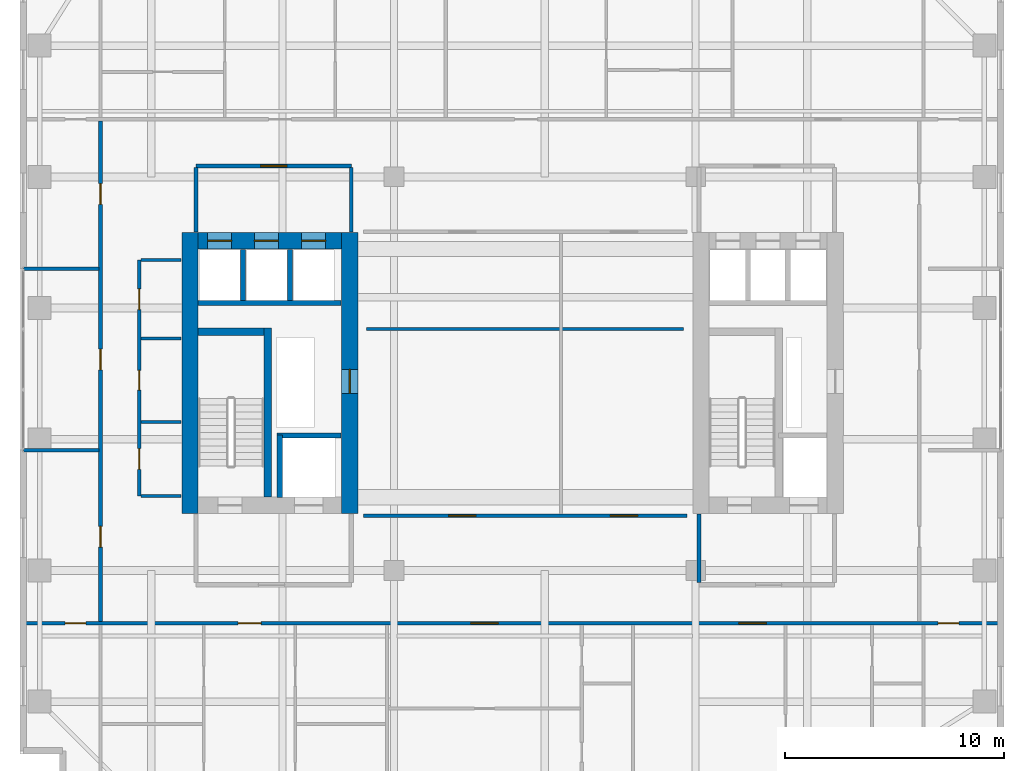
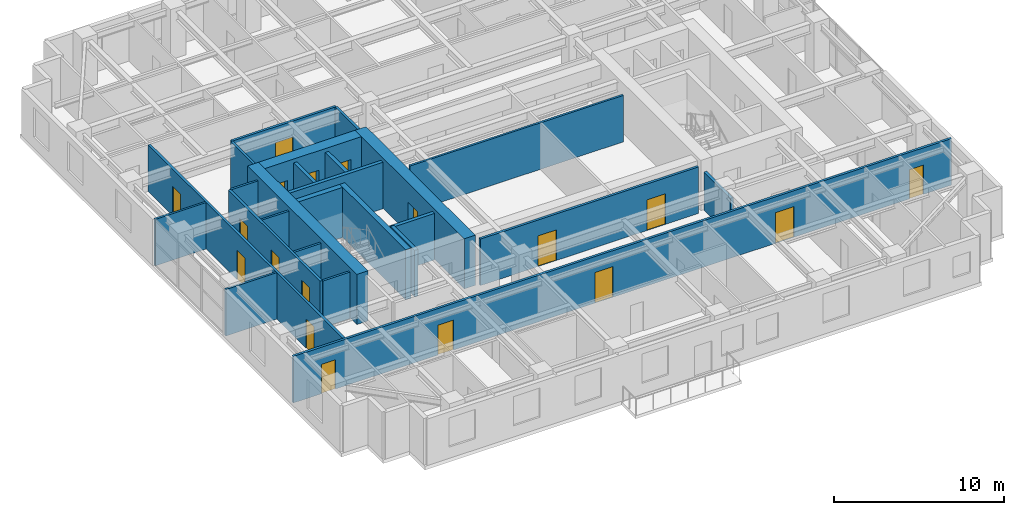
# One storey, part 8 of 13: 25 walls, 18 doors, 18 openings.
"""IFC4 building model written with IfcOpenShell, lengths in metres."""

from ifc_helpers import new_model, si_unit, direction, frame, frame_2d, origin, place, context, subcontext, project, spatial, rectangle, extrude, source, transform, mapped, material, layer, layer_set, type_object, element, fill, save


model = new_model("IFC4")

# Units and contexts
model_context = context("Model", 3, precision=1e-05, world=origin(), true_north=direction((0.0, 1.0)))
body_context = subcontext(model_context, "Body", "Model", "MODEL_VIEW")
ifc_project = project(units=[si_unit("LENGTHUNIT", "METRE"), si_unit("AREAUNIT", "SQUARE_METRE"), si_unit("VOLUMEUNIT", "CUBIC_METRE"), si_unit("PLANEANGLEUNIT", "RADIAN"), si_unit("MASSUNIT", "GRAM", prefix="KILO")], contexts=[model_context])

# Site, building, storey
site_placement = place(None, origin())
site = spatial("IfcSite", under=ifc_project, at=site_placement, CompositionType="ELEMENT")
building_placement = place(site_placement, origin())
building = spatial("IfcBuilding", under=site, at=building_placement, Name="Khoralis Quay Care Tower", CompositionType="ELEMENT")
storey_placement = place(building_placement, frame((0.0, 0.0, 87.300048828125)))
storey = spatial("IfcBuildingStorey", under=building, at=storey_placement, Name="L22", CompositionType="ELEMENT", Elevation=87.300048828125)

# Walls
ifc_material_1 = material(Name="Gypsum plasterboard on acoustic metal stud")
ifc_layer_1 = layer(ifc_material_1, 0.199951171875)
ifc_layer_set_1 = layer_set([ifc_layer_1], Name="Gypsum plasterboard on acoustic metal stud")
wall_type_1 = type_object("IfcWallType", Name="WL-COMP-200", PredefinedType="PARTITIONING", material=ifc_layer_set_1)
wall_1_placement = place(storey_placement, frame((31.050048828125, 11.445068359375, 0.0), z_axis=(0.0, 0.0, 1.0), x_axis=(0.0, 1.0, 0.0)))
element("IfcWall", 1, at=wall_1_placement, inside=storey, type_object=wall_type_1, Name="L22 East Firefighting Lobby West Wall", PredefinedType="PARTITIONING", context=body_context, shape_type="SweptSolid", body=[
    extrude(rectangle(XDim=3.135009765625, YDim=0.199951171875, at=frame_2d((1.5673828125, 0.0))), origin(), (0.0, 0.0, 1.0), 2.723876953125),
])
ifc_material_2 = material(Name="Concrete C80/95", Category="concrete")
ifc_layer_2 = layer(ifc_material_2, 0.75)
ifc_layer_set_2 = layer_set([ifc_layer_2], Name="Concrete C80/95")
wall_type_2 = type_object("IfcWallType", Name="WL-CORE-750", PredefinedType="SHEAR", material=ifc_layer_set_2)
wall_2_placement = place(storey_placement, frame((7.77490234375, 14.60009765625, 0.0), z_axis=(0.0, 0.0, 1.0), x_axis=(0.0, 1.0, 0.0)))
element("IfcWall", 2, at=wall_2_placement, inside=storey, type_object=wall_type_2, Name="L22 WCORE West Shear Wall", PredefinedType="SHEAR", context=body_context, shape_type="SweptSolid", body=[
    extrude(rectangle(XDim=12.849853515625, YDim=0.75, at=frame_2d((6.4248046875, 0.0))), origin(), (0.0, 0.0, 1.0), 3.599853515625),
])

# Wall, opening, door
wall_3_placement = place(storey_placement, frame((15.074951171875, 14.60009765625, 0.0), z_axis=(0.0, 0.0, 1.0), x_axis=(0.0, 1.0, 0.0)))
wall_3 = element("IfcWall", 3, at=wall_3_placement, inside=storey, type_object=wall_type_2, Name="L22 WCORE East Shear Wall", PredefinedType="SHEAR", context=body_context, shape_type="SweptSolid", body=[
    extrude(rectangle(XDim=12.849853515625, YDim=0.75, at=frame_2d((6.4248046875, 0.0))), origin(), (0.0, 0.0, 1.0), 3.599853515625),
])
opening_1_placement = place(wall_3_placement, frame((5.5, 0.0, 0.0)))
opening_1 = element("IfcOpeningElement", 4, at=opening_1_placement, cuts=wall_3, Name="Opening SD1", PredefinedType="OPENING", context=body_context, shape_type="SweptSolid", body=[
    extrude(rectangle(XDim=1.10009765625, YDim=2.199951171875, at=frame_2d((0.550048828125, 1.10009765625))), frame((0.0, 0.385009765625, 0.0), z_axis=(0.0, -1.0, 0.0), x_axis=(1.0, 0.0, 0.0)), (0.0, 0.0, 1.0), 0.77001953125),
])
ifc_material_3 = material(Name="Fire-rated painted steel", Category="steel")
door_type_1 = type_object("IfcDoorType", Name="DR-STAIR-1100X2200", OperationType="NOTDEFINED", PredefinedType="DOOR", material=ifc_material_3)
shared_shape_1 = source(origin(), body_context, "Body", "SweptSolid", [
    extrude(rectangle(XDim=1.10009765625, YDim=2.199951171875, at=frame_2d((0.550048828125, 1.10009765625))), frame((0.0, 0.02490234375, 0.0), z_axis=(0.0, -1.0, 0.0), x_axis=(1.0, 0.0, 0.0)), (0.0, 0.0, 1.0), 0.050048828125),
])
door_1_placement = place(opening_1_placement, origin())
door_1 = element("IfcDoor", 5, at=door_1_placement, inside=storey, type_object=door_type_1, Name="L22 West MEP Riser Door", OperationType="SINGLE_SWING_RIGHT", OverallHeight=2.199951171875, OverallWidth=1.10009765625, PredefinedType="DOOR", context=body_context, shape_type="MappedRepresentation", body=[
    mapped(shared_shape_1, transform((0.0, 0.0, 0.0), scale=1.0)),
])
fill(opening_1, door_1)

# Wall, openings, doors
wall_4_placement = place(storey_placement, frame((8.14990234375, 27.074951171875, 0.0), z_axis=(0.0, 0.0, 1.0), x_axis=(1.0, 0.0, 0.0)))
wall_4 = element("IfcWall", 6, at=wall_4_placement, inside=storey, type_object=wall_type_2, Name="L22 WCORE North Shear Wall", PredefinedType="SHEAR", context=body_context, shape_type="SweptSolid", body=[
    extrude(rectangle(XDim=6.550048828125, YDim=0.75, at=frame_2d((3.27490234375, 0.0))), origin(), (0.0, 0.0, 1.0), 3.599853515625),
])
opening_2_placement = place(wall_4_placement, frame((0.429931640625, 0.0, 0.0)))
opening_2 = element("IfcOpeningElement", 7, at=opening_2_placement, cuts=wall_4, Name="Opening LD1", PredefinedType="OPENING", context=body_context, shape_type="SweptSolid", body=[
    extrude(rectangle(XDim=1.10009765625, YDim=2.199951171875, at=frame_2d((0.550048828125, 1.10009765625))), frame((0.0, 0.385009765625, 0.0), z_axis=(0.0, -1.0, 0.0), x_axis=(1.0, 0.0, 0.0)), (0.0, 0.0, 1.0), 0.77001953125),
])
opening_3_placement = place(wall_4_placement, frame((2.570068359375, 0.0, 0.0)))
opening_3 = element("IfcOpeningElement", 8, at=opening_3_placement, cuts=wall_4, Name="Opening LD1", PredefinedType="OPENING", context=body_context, shape_type="SweptSolid", body=[
    extrude(rectangle(XDim=1.10009765625, YDim=2.199951171875, at=frame_2d((0.550048828125, 1.10009765625))), frame((0.0, 0.385009765625, 0.0), z_axis=(0.0, -1.0, 0.0), x_axis=(1.0, 0.0, 0.0)), (0.0, 0.0, 1.0), 0.77001953125),
])
opening_4_placement = place(wall_4_placement, frame((4.72998046875, 0.0, 0.0)))
opening_4 = element("IfcOpeningElement", 9, at=opening_4_placement, cuts=wall_4, Name="Opening LD1", PredefinedType="OPENING", context=body_context, shape_type="SweptSolid", body=[
    extrude(rectangle(XDim=1.10009765625, YDim=2.199951171875, at=frame_2d((0.550048828125, 1.10009765625))), frame((0.0, 0.385009765625, 0.0), z_axis=(0.0, -1.0, 0.0), x_axis=(1.0, 0.0, 0.0)), (0.0, 0.0, 1.0), 0.77001953125),
])
ifc_material_4 = material(Name="Brushed stainless steel", Category="steel")
door_type_2 = type_object("IfcDoorType", Name="DR-LIFT-1100X2200", OperationType="SLIDING_TO_LEFT", PredefinedType="DOOR", material=ifc_material_4)
shared_shape_2 = source(origin(), body_context, "Body", "SweptSolid", [
    extrude(rectangle(XDim=1.10009765625, YDim=2.199951171875, at=frame_2d((0.550048828125, 1.10009765625))), frame((0.0, 0.02490234375, 0.0), z_axis=(0.0, -1.0, 0.0), x_axis=(1.0, 0.0, 0.0)), (0.0, 0.0, 1.0), 0.050048828125),
])
door_2_placement = place(opening_2_placement, origin())
door_2 = element("IfcDoor", 10, at=door_2_placement, inside=storey, type_object=door_type_2, Name="L22 Lift PLL1 Landing Door", OperationType="SLIDING_TO_LEFT", OverallHeight=2.199951171875, OverallWidth=1.10009765625, PredefinedType="DOOR", context=body_context, shape_type="MappedRepresentation", body=[
    mapped(shared_shape_2, transform((0.0, 0.0, 0.0), scale=1.0)),
])
fill(opening_2, door_2)
door_3_placement = place(opening_3_placement, origin())
door_3 = element("IfcDoor", 11, at=door_3_placement, inside=storey, type_object=door_type_2, Name="L22 Lift PLM1 Landing Door", OperationType="SLIDING_TO_LEFT", OverallHeight=2.199951171875, OverallWidth=1.10009765625, PredefinedType="DOOR", context=body_context, shape_type="MappedRepresentation", body=[
    mapped(shared_shape_2, transform((0.0, 0.0, 0.0), scale=1.0)),
])
fill(opening_3, door_3)
door_4_placement = place(opening_4_placement, origin())
door_4 = element("IfcDoor", 12, at=door_4_placement, inside=storey, type_object=door_type_2, Name="L22 Lift PLH1 Landing Door", OperationType="SLIDING_TO_LEFT", OverallHeight=2.199951171875, OverallWidth=1.10009765625, PredefinedType="DOOR", context=body_context, shape_type="MappedRepresentation", body=[
    mapped(shared_shape_2, transform((0.0, 0.0, 0.0), scale=1.0)),
])
fill(opening_4, door_4)

# Wall, opening, door
ifc_layer_3 = layer(ifc_material_1, 0.1650390625)
ifc_layer_set_3 = layer_set([ifc_layer_3], Name="Gypsum plasterboard on acoustic metal stud")
wall_type_3 = type_object("IfcWallType", Name="WL-CORR-165", PredefinedType="PARTITIONING", material=ifc_layer_set_3)
wall_5_placement = place(storey_placement, frame((8.050048828125, 30.5, 0.0), z_axis=(0.0, 0.0, 1.0), x_axis=(1.0, 0.0, 0.0)))
wall_5 = element("IfcWall", 13, at=wall_5_placement, inside=storey, type_object=wall_type_3, Name="L22 West Lift Lobby North Wall", PredefinedType="PARTITIONING", context=body_context, shape_type="SweptSolid", body=[
    extrude(rectangle(XDim=7.099853515625, YDim=0.1650390625, at=frame_2d((3.5498046875, 0.0))), origin(), (0.0, 0.0, 1.0), 3.33984375),
])
opening_5_placement = place(wall_5_placement, frame((2.949951171875, 0.0, 0.0)))
opening_5 = element("IfcOpeningElement", 14, at=opening_5_placement, cuts=wall_5, Name="Opening FD1", PredefinedType="OPENING", context=body_context, shape_type="SweptSolid", body=[
    extrude(rectangle(XDim=1.199951171875, YDim=2.199951171875, at=frame_2d((0.60009765625, 1.10009765625))), frame((0.0, 0.092529296875, 0.0), z_axis=(0.0, -1.0, 0.0), x_axis=(1.0, 0.0, 0.0)), (0.0, 0.0, 1.0), 0.18505859375),
])
door_type_3 = type_object("IfcDoorType", Name="DR-FFL-1200X2200", OperationType="NOTDEFINED", PredefinedType="DOOR", material=ifc_material_3)
shared_shape_3 = source(origin(), body_context, "Body", "SweptSolid", [
    extrude(rectangle(XDim=1.199951171875, YDim=2.199951171875, at=frame_2d((0.60009765625, 1.10009765625))), frame((0.0, 0.02490234375, 0.0), z_axis=(0.0, -1.0, 0.0), x_axis=(1.0, 0.0, 0.0)), (0.0, 0.0, 1.0), 0.050048828125),
])
door_5_placement = place(opening_5_placement, origin())
door_5 = element("IfcDoor", 15, at=door_5_placement, inside=storey, type_object=door_type_3, Name="L22 West Lift Lobby Double Door", OperationType="DOUBLE_DOOR_SINGLE_SWING", OverallHeight=2.199951171875, OverallWidth=1.199951171875, PredefinedType="DOOR", context=body_context, shape_type="MappedRepresentation", body=[
    mapped(shared_shape_3, transform((0.0, 0.0, 0.0), scale=1.0)),
])
fill(opening_5, door_5)

# Walls
for number, where, z_axis, x_axis, name in (
    (16, (8.050048828125, 27.469970703125, 0.0), (0.0, 0.0, 1.0), (0.0, 1.0, 0.0), "L22 West Lift Lobby West Wall"),
    (17, (15.14990234375, 27.469970703125, 0.0), (0.0, 0.0, 1.0), (0.0, 1.0, 0.0), "L22 West Lift Lobby East Wall"),
):
    element("IfcWall", number, at=place(storey_placement, frame(where, z_axis=z_axis, x_axis=x_axis)), inside=storey, type_object=wall_type_3, Name=name, PredefinedType="PARTITIONING", context=body_context, shape_type="SweptSolid", body=[
        extrude(rectangle(XDim=2.95263671875, YDim=0.1650390625, at=frame_2d((1.476318359375, 0.0))), origin(), (0.0, 0.0, 1.0), 3.33984375),
    ])

# Wall, openings, doors
wall_6_placement = place(storey_placement, frame((5.449951171875, 15.39990234375, 0.0), z_axis=(0.0, 0.0, 1.0), x_axis=(0.0, 1.0, 0.0)))
wall_6 = element("IfcWall", 18, at=wall_6_placement, inside=storey, type_object=wall_type_3, Name="L22 West Core Service Flank Wall", PredefinedType="PARTITIONING", context=body_context, shape_type="SweptSolid", body=[
    extrude(rectangle(XDim=10.800048828125, YDim=0.1650390625, at=frame_2d((5.39990234375, 0.0))), origin(), (0.0, 0.0, 1.0), 3.33984375),
])
opening_6_placement = place(wall_6_placement, frame((1.22509765625, 0.0, 0.0)))
opening_6 = element("IfcOpeningElement", 19, at=opening_6_placement, cuts=wall_6, Name="Opening ID1", PredefinedType="OPENING", context=body_context, shape_type="SweptSolid", body=[
    extrude(rectangle(XDim=0.949951171875, YDim=2.10009765625, at=frame_2d((0.47509765625, 1.050048828125))), frame((0.0, 0.092529296875, 0.0), z_axis=(0.0, -1.0, 0.0), x_axis=(1.0, 0.0, 0.0)), (0.0, 0.0, 1.0), 0.18505859375),
])
opening_7_placement = place(wall_6_placement, frame((4.85009765625, 0.0, 0.0)))
opening_7 = element("IfcOpeningElement", 20, at=opening_7_placement, cuts=wall_6, Name="Opening WD1", PredefinedType="OPENING", context=body_context, shape_type="SweptSolid", body=[
    extrude(rectangle(XDim=0.89990234375, YDim=2.10009765625, at=frame_2d((0.449951171875, 1.050048828125))), frame((0.0, 0.092529296875, 0.0), z_axis=(0.0, -1.0, 0.0), x_axis=(1.0, 0.0, 0.0)), (0.0, 0.0, 1.0), 0.18505859375),
])
opening_8_placement = place(wall_6_placement, frame((8.52490234375, 0.0, 0.0)))
opening_8 = element("IfcOpeningElement", 21, at=opening_8_placement, cuts=wall_6, Name="Opening ID1", PredefinedType="OPENING", context=body_context, shape_type="SweptSolid", body=[
    extrude(rectangle(XDim=0.949951171875, YDim=2.10009765625, at=frame_2d((0.47509765625, 1.050048828125))), frame((0.0, 0.092529296875, 0.0), z_axis=(0.0, -1.0, 0.0), x_axis=(1.0, 0.0, 0.0)), (0.0, 0.0, 1.0), 0.18505859375),
])
ifc_material_5 = material(Name="Acoustic hardwood timber", Category="wood")
door_type_4 = type_object("IfcDoorType", Name="DR-BATH-900X2100", OperationType="NOTDEFINED", PredefinedType="DOOR", material=ifc_material_5)
shared_shape_4 = source(origin(), body_context, "Body", "SweptSolid", [
    extrude(rectangle(XDim=0.89990234375, YDim=2.10009765625, at=frame_2d((0.449951171875, 1.050048828125))), frame((0.0, 0.02490234375, 0.0), z_axis=(0.0, -1.0, 0.0), x_axis=(1.0, 0.0, 0.0)), (0.0, 0.0, 1.0), 0.050048828125),
])
door_6_placement = place(opening_7_placement, frame((0.89990234375, 0.0, 0.0), z_axis=(0.0, 0.0, 1.0), x_axis=(-1.0, 0.0, 0.0)))
door_6 = element("IfcDoor", 22, at=door_6_placement, inside=storey, type_object=door_type_4, Name="L22 Public Accessible WC Door", OperationType="SINGLE_SWING_RIGHT", OverallHeight=2.10009765625, OverallWidth=0.89990234375, PredefinedType="DOOR", context=body_context, shape_type="MappedRepresentation", body=[
    mapped(shared_shape_4, transform((0.0, 0.0, 0.0), scale=1.0)),
])
fill(opening_7, door_6)
door_type_5 = type_object("IfcDoorType", Name="DR-ROOM-950X2100", OperationType="NOTDEFINED", PredefinedType="DOOR", material=ifc_material_5)
shared_shape_5 = source(origin(), body_context, "Body", "SweptSolid", [
    extrude(rectangle(XDim=0.949951171875, YDim=2.10009765625, at=frame_2d((0.47509765625, 1.050048828125))), frame((0.0, 0.02490234375, 0.0), z_axis=(0.0, -1.0, 0.0), x_axis=(1.0, 0.0, 0.0)), (0.0, 0.0, 1.0), 0.050048828125),
])
door_7_placement = place(opening_6_placement, frame((0.949951171875, 0.0, 0.0), z_axis=(0.0, 0.0, 1.0), x_axis=(-1.0, 0.0, 0.0)))
door_7 = element("IfcDoor", 23, at=door_7_placement, inside=storey, type_object=door_type_5, Name="L22 Clean Utility Store Door", OperationType="SINGLE_SWING_LEFT", OverallHeight=2.10009765625, OverallWidth=0.949951171875, PredefinedType="DOOR", context=body_context, shape_type="MappedRepresentation", body=[
    mapped(shared_shape_5, transform((0.0, 0.0, 0.0), scale=1.0)),
])
fill(opening_6, door_7)
door_8_placement = place(opening_8_placement, frame((0.949951171875, 0.0, 0.0), z_axis=(0.0, 0.0, 1.0), x_axis=(-1.0, 0.0, 0.0)))
door_8 = element("IfcDoor", 24, at=door_8_placement, inside=storey, type_object=door_type_5, Name="L22 Electrical Switchboard Room Door", OperationType="SINGLE_SWING_LEFT", OverallHeight=2.10009765625, OverallWidth=0.949951171875, PredefinedType="DOOR", context=body_context, shape_type="MappedRepresentation", body=[
    mapped(shared_shape_5, transform((0.0, 0.0, 0.0), scale=1.0)),
])
fill(opening_8, door_8)

wall_7_placement = place(storey_placement, frame((0.14501953125, 9.580078125, 0.0), z_axis=(0.0, 0.0, 1.0), x_axis=(1.0, 0.0, 0.0)))
wall_7 = element("IfcWall", 25, at=wall_7_placement, inside=storey, type_object=wall_type_3, Name="L22 South Main Corridor Wall", PredefinedType="PARTITIONING", context=body_context, shape_type="SweptSolid", body=[
    extrude(rectangle(XDim=44.7099609375, YDim=0.1650390625, at=frame_2d((22.35498046875, 0.0))), origin(), (0.0, 0.0, 1.0), 3.33984375),
])
opening_9_placement = place(wall_7_placement, frame((9.827392578125, 0.0, 0.0)))
opening_9 = element("IfcOpeningElement", 26, at=opening_9_placement, cuts=wall_7, Name="Opening UD1", PredefinedType="OPENING", context=body_context, shape_type="SweptSolid", body=[
    extrude(rectangle(XDim=1.050048828125, YDim=2.14990234375, at=frame_2d((0.52490234375, 1.074951171875))), frame((0.0, 0.092529296875, 0.0), z_axis=(0.0, -1.0, 0.0), x_axis=(1.0, 0.0, 0.0)), (0.0, 0.0, 1.0), 0.18505859375),
])
opening_10_placement = place(wall_7_placement, frame((20.469970703125, 0.0, 0.0)))
opening_10 = element("IfcOpeningElement", 27, at=opening_10_placement, cuts=wall_7, Name="Opening CD1", PredefinedType="OPENING", context=body_context, shape_type="SweptSolid", body=[
    extrude(rectangle(XDim=1.25, YDim=2.199951171875, at=frame_2d((0.625, 1.10009765625))), frame((0.0, 0.092529296875, 0.0), z_axis=(0.0, -1.0, 0.0), x_axis=(1.0, 0.0, 0.0)), (0.0, 0.0, 1.0), 0.18505859375),
])
opening_11_placement = place(wall_7_placement, frame((32.735107421875, 0.0, 0.0)))
opening_11 = element("IfcOpeningElement", 28, at=opening_11_placement, cuts=wall_7, Name="Opening CD1", PredefinedType="OPENING", context=body_context, shape_type="SweptSolid", body=[
    extrude(rectangle(XDim=1.25, YDim=2.199951171875, at=frame_2d((0.625, 1.10009765625))), frame((0.0, 0.092529296875, 0.0), z_axis=(0.0, -1.0, 0.0), x_axis=(1.0, 0.0, 0.0)), (0.0, 0.0, 1.0), 0.18505859375),
])
opening_12_placement = place(wall_7_placement, frame((1.919921875, 0.0, 0.0)))
opening_12 = element("IfcOpeningElement", 29, at=opening_12_placement, cuts=wall_7, Name="Opening ID1", PredefinedType="OPENING", context=body_context, shape_type="SweptSolid", body=[
    extrude(rectangle(XDim=0.949951171875, YDim=2.10009765625, at=frame_2d((0.47509765625, 1.050048828125))), frame((0.0, 0.092529296875, 0.0), z_axis=(0.0, -1.0, 0.0), x_axis=(1.0, 0.0, 0.0)), (0.0, 0.0, 1.0), 0.18505859375),
])
opening_13_placement = place(wall_7_placement, frame((41.840087890625, 0.0, 0.0)))
opening_13 = element("IfcOpeningElement", 30, at=opening_13_placement, cuts=wall_7, Name="Opening ID1", PredefinedType="OPENING", context=body_context, shape_type="SweptSolid", body=[
    extrude(rectangle(XDim=0.949951171875, YDim=2.10009765625, at=frame_2d((0.47509765625, 1.050048828125))), frame((0.0, 0.092529296875, 0.0), z_axis=(0.0, -1.0, 0.0), x_axis=(1.0, 0.0, 0.0)), (0.0, 0.0, 1.0), 0.18505859375),
])
door_type_6 = type_object("IfcDoorType", Name="DR-CARE-1250X2200", OperationType="NOTDEFINED", PredefinedType="DOOR", material=ifc_material_5)
shared_shape_6 = source(origin(), body_context, "Body", "SweptSolid", [
    extrude(rectangle(XDim=1.25, YDim=2.199951171875, at=frame_2d((0.625, 1.10009765625))), frame((0.0, 0.02490234375, 0.0), z_axis=(0.0, -1.0, 0.0), x_axis=(1.0, 0.0, 0.0)), (0.0, 0.0, 1.0), 0.050048828125),
])
door_9_placement = place(opening_10_placement, frame((1.25, 0.0, 0.0), z_axis=(0.0, 0.0, 1.0), x_axis=(-1.0, 0.0, 0.0)))
door_9 = element("IfcDoor", 31, at=door_9_placement, inside=storey, type_object=door_type_6, Name="L22 Care Suite SB1 Clinical Door", OperationType="SINGLE_SWING_LEFT", OverallHeight=2.199951171875, OverallWidth=1.25, PredefinedType="DOOR", context=body_context, shape_type="MappedRepresentation", body=[
    mapped(shared_shape_6, transform((0.0, 0.0, 0.0), scale=1.0)),
])
fill(opening_10, door_9)
door_10_placement = place(opening_11_placement, frame((1.25, 0.0, 0.0), z_axis=(0.0, 0.0, 1.0), x_axis=(-1.0, 0.0, 0.0)))
door_10 = element("IfcDoor", 32, at=door_10_placement, inside=storey, type_object=door_type_6, Name="L22 Care Suite SB2 Clinical Door", OperationType="SINGLE_SWING_RIGHT", OverallHeight=2.199951171875, OverallWidth=1.25, PredefinedType="DOOR", context=body_context, shape_type="MappedRepresentation", body=[
    mapped(shared_shape_6, transform((0.0, 0.0, 0.0), scale=1.0)),
])
fill(opening_11, door_10)
door_11_placement = place(opening_12_placement, frame((0.949951171875, 0.0, 0.0), z_axis=(0.0, 0.0, 1.0), x_axis=(-1.0, 0.0, 0.0)))
door_11 = element("IfcDoor", 33, at=door_11_placement, inside=storey, type_object=door_type_5, Name="L22 SW Corner Door", OperationType="SINGLE_SWING_LEFT", OverallHeight=2.10009765625, OverallWidth=0.949951171875, PredefinedType="DOOR", context=body_context, shape_type="MappedRepresentation", body=[
    mapped(shared_shape_5, transform((0.0, 0.0, 0.0), scale=1.0)),
])
fill(opening_12, door_11)
door_12_placement = place(opening_13_placement, frame((0.949951171875, 0.0, 0.0), z_axis=(0.0, 0.0, 1.0), x_axis=(-1.0, 0.0, 0.0)))
door_12 = element("IfcDoor", 34, at=door_12_placement, inside=storey, type_object=door_type_5, Name="L22 SE Corner Door", OperationType="SINGLE_SWING_RIGHT", OverallHeight=2.10009765625, OverallWidth=0.949951171875, PredefinedType="DOOR", context=body_context, shape_type="MappedRepresentation", body=[
    mapped(shared_shape_5, transform((0.0, 0.0, 0.0), scale=1.0)),
])
fill(opening_13, door_12)
door_type_7 = type_object("IfcDoorType", Name="DR-SUITE-1050X2150", OperationType="NOTDEFINED", PredefinedType="DOOR", material=ifc_material_5)
shared_shape_7 = source(origin(), body_context, "Body", "SweptSolid", [
    extrude(rectangle(XDim=1.050048828125, YDim=2.14990234375, at=frame_2d((0.52490234375, 1.074951171875))), frame((0.0, 0.02490234375, 0.0), z_axis=(0.0, -1.0, 0.0), x_axis=(1.0, 0.0, 0.0)), (0.0, 0.0, 1.0), 0.050048828125),
])
door_13_placement = place(opening_9_placement, frame((1.050048828125, 0.0, 0.0), z_axis=(0.0, 0.0, 1.0), x_axis=(-1.0, 0.0, 0.0)))
door_13 = element("IfcDoor", 35, at=door_13_placement, inside=storey, type_object=door_type_7, Name="L22 2BR SB0 Entrance", OperationType="SINGLE_SWING_RIGHT", OverallHeight=2.14990234375, OverallWidth=1.050048828125, PredefinedType="DOOR", context=body_context, shape_type="MappedRepresentation", body=[
    mapped(shared_shape_7, transform((0.0, 0.0, 0.0), scale=1.0)),
])
fill(opening_9, door_13)

wall_8_placement = place(storey_placement, frame((3.679931640625, 9.657470703125, 0.0), z_axis=(0.0, 0.0, 1.0), x_axis=(0.0, 1.0, 0.0)))
wall_8 = element("IfcWall", 36, at=wall_8_placement, inside=storey, type_object=wall_type_3, Name="L22 West Loop Corridor Wall", PredefinedType="PARTITIONING", context=body_context, shape_type="SweptSolid", body=[
    extrude(rectangle(XDim=22.905029296875, YDim=0.1650390625, at=frame_2d((11.45263671875, 0.0))), origin(), (0.0, 0.0, 1.0), 3.33984375),
])
opening_14_placement = place(wall_8_placement, frame((3.407470703125, 0.0, 0.0)))
opening_14 = element("IfcOpeningElement", 37, at=opening_14_placement, cuts=wall_8, Name="Opening ID1", PredefinedType="OPENING", context=body_context, shape_type="SweptSolid", body=[
    extrude(rectangle(XDim=0.949951171875, YDim=2.10009765625, at=frame_2d((0.47509765625, 1.050048828125))), frame((0.0, 0.092529296875, 0.0), z_axis=(0.0, -1.0, 0.0), x_axis=(1.0, 0.0, 0.0)), (0.0, 0.0, 1.0), 0.18505859375),
])
opening_15_placement = place(wall_8_placement, frame((11.517578125, 0.0, 0.0)))
opening_15 = element("IfcOpeningElement", 38, at=opening_15_placement, cuts=wall_8, Name="Opening ID1", PredefinedType="OPENING", context=body_context, shape_type="SweptSolid", body=[
    extrude(rectangle(XDim=0.949951171875, YDim=2.10009765625, at=frame_2d((0.47509765625, 1.050048828125))), frame((0.0, 0.092529296875, 0.0), z_axis=(0.0, -1.0, 0.0), x_axis=(1.0, 0.0, 0.0)), (0.0, 0.0, 1.0), 0.18505859375),
])
opening_16_placement = place(wall_8_placement, frame((19.08740234375, 0.0, 0.0)))
opening_16 = element("IfcOpeningElement", 39, at=opening_16_placement, cuts=wall_8, Name="Opening ID1", PredefinedType="OPENING", context=body_context, shape_type="SweptSolid", body=[
    extrude(rectangle(XDim=0.949951171875, YDim=2.10009765625, at=frame_2d((0.47509765625, 1.050048828125))), frame((0.0, 0.092529296875, 0.0), z_axis=(0.0, -1.0, 0.0), x_axis=(1.0, 0.0, 0.0)), (0.0, 0.0, 1.0), 0.18505859375),
])
door_14_placement = place(opening_14_placement, origin())
door_14 = element("IfcDoor", 40, at=door_14_placement, inside=storey, type_object=door_type_5, Name="L22 Therapy Consultation Room Door", OperationType="SINGLE_SWING_LEFT", OverallHeight=2.10009765625, OverallWidth=0.949951171875, PredefinedType="DOOR", context=body_context, shape_type="MappedRepresentation", body=[
    mapped(shared_shape_5, transform((0.0, 0.0, 0.0), scale=1.0)),
])
fill(opening_14, door_14)
door_15_placement = place(opening_15_placement, origin())
door_15 = element("IfcDoor", 41, at=door_15_placement, inside=storey, type_object=door_type_5, Name="L22 Assisted Activity Lounge Door", OperationType="SINGLE_SWING_RIGHT", OverallHeight=2.10009765625, OverallWidth=0.949951171875, PredefinedType="DOOR", context=body_context, shape_type="MappedRepresentation", body=[
    mapped(shared_shape_5, transform((0.0, 0.0, 0.0), scale=1.0)),
])
fill(opening_15, door_15)
door_16_placement = place(opening_16_placement, origin())
door_16 = element("IfcDoor", 42, at=door_16_placement, inside=storey, type_object=door_type_5, Name="L22 Nurse Charting Office Door", OperationType="SINGLE_SWING_LEFT", OverallHeight=2.10009765625, OverallWidth=0.949951171875, PredefinedType="DOOR", context=body_context, shape_type="MappedRepresentation", body=[
    mapped(shared_shape_5, transform((0.0, 0.0, 0.0), scale=1.0)),
])
fill(opening_16, door_16)

wall_9_placement = place(storey_placement, frame((15.699951171875, 14.5, 0.0), z_axis=(0.0, 0.0, 1.0), x_axis=(1.0, 0.0, 0.0)))
wall_9 = element("IfcWall", 43, at=wall_9_placement, inside=storey, type_object=wall_type_3, Name="L22 Central Clinical South Wall", PredefinedType="PARTITIONING", context=body_context, shape_type="SweptSolid", body=[
    extrude(rectangle(XDim=14.800048828125, YDim=0.1650390625, at=frame_2d((7.39990234375, 0.0))), origin(), (0.0, 0.0, 1.0), 3.33984375),
])
opening_17_placement = place(wall_9_placement, frame((3.89990234375, 0.0, 0.0)))
opening_17 = element("IfcOpeningElement", 44, at=opening_17_placement, cuts=wall_9, Name="Opening CD1", PredefinedType="OPENING", context=body_context, shape_type="SweptSolid", body=[
    extrude(rectangle(XDim=1.25, YDim=2.199951171875, at=frame_2d((0.625, 1.10009765625))), frame((0.0, 0.092529296875, 0.0), z_axis=(0.0, -1.0, 0.0), x_axis=(1.0, 0.0, 0.0)), (0.0, 0.0, 1.0), 0.18505859375),
])
opening_18_placement = place(wall_9_placement, frame((11.300048828125, 0.0, 0.0)))
opening_18 = element("IfcOpeningElement", 45, at=opening_18_placement, cuts=wall_9, Name="Opening CD1", PredefinedType="OPENING", context=body_context, shape_type="SweptSolid", body=[
    extrude(rectangle(XDim=1.25, YDim=2.199951171875, at=frame_2d((0.625, 1.10009765625))), frame((0.0, 0.092529296875, 0.0), z_axis=(0.0, -1.0, 0.0), x_axis=(1.0, 0.0, 0.0)), (0.0, 0.0, 1.0), 0.18505859375),
])
door_17_placement = place(opening_17_placement, origin())
door_17 = element("IfcDoor", 46, at=door_17_placement, inside=storey, type_object=door_type_6, Name="L22 Nurse Station Door", OperationType="SINGLE_SWING_LEFT", OverallHeight=2.199951171875, OverallWidth=1.25, PredefinedType="DOOR", context=body_context, shape_type="MappedRepresentation", body=[
    mapped(shared_shape_6, transform((0.0, 0.0, 0.0), scale=1.0)),
])
fill(opening_17, door_17)
door_18_placement = place(opening_18_placement, origin())
door_18 = element("IfcDoor", 47, at=door_18_placement, inside=storey, type_object=door_type_6, Name="L22 Treatment Clinic Door", OperationType="SINGLE_SWING_RIGHT", OverallHeight=2.199951171875, OverallWidth=1.25, PredefinedType="DOOR", context=body_context, shape_type="MappedRepresentation", body=[
    mapped(shared_shape_6, transform((0.0, 0.0, 0.0), scale=1.0)),
])
fill(opening_18, door_18)

# Walls
ifc_material_6 = material(Name="Moisture-resistant gypsum and ceramic tile")
ifc_layer_4 = layer(ifc_material_6, 0.280029296875)
ifc_layer_set_4 = layer_set([ifc_layer_4], Name="Moisture-resistant gypsum and ceramic tile")
wall_type_4 = type_object("IfcWallType", Name="WL-PLUMB-280", PredefinedType="PLUMBINGWALL", material=ifc_layer_set_4)
wall_10_placement = place(storey_placement, frame((5.527587890625, 18.800048828125, 0.0), z_axis=(0.0, 0.0, 1.0), x_axis=(1.0, 0.0, 0.0)))
element("IfcWall", 48, at=wall_10_placement, inside=storey, type_object=wall_type_4, Name="L22 West Flank Divider 1", PredefinedType="PLUMBINGWALL", context=body_context, shape_type="SweptSolid", body=[
    extrude(rectangle(XDim=1.83251953125, YDim=0.139892578125, at=frame_2d((0.916259765625, 0.0))), origin(), (0.0, 0.0, 1.0), 3.33984375),
])
ifc_material_7 = material(Name="Concrete C40/50", Category="concrete")
ifc_layer_5 = layer(ifc_material_7, 0.35009765625)
ifc_layer_set_5 = layer_set([ifc_layer_5], Name="Concrete C40/50")
wall_type_5 = type_object("IfcWallType", Name="WL-SC-CORE-350", PredefinedType="SHEAR", material=ifc_layer_set_5)
wall_11_placement = place(storey_placement, frame((11.324951171875, 15.35009765625, 0.0), z_axis=(0.0, 0.0, 1.0), x_axis=(0.0, 1.0, 0.0)))
element("IfcWall", 49, at=wall_11_placement, inside=storey, type_object=wall_type_5, Name="L22 Stair ST-T1 Shear Baffle Wall East", PredefinedType="SHEAR", context=body_context, shape_type="SweptSolid", body=[
    extrude(rectangle(XDim=7.75, YDim=0.35009765625, at=frame_2d((3.875, 0.0))), origin(), (0.0, 0.0, 1.0), 3.599853515625),
])
wall_12_placement = place(storey_placement, frame((8.14990234375, 22.925048828125, 0.0), z_axis=(0.0, 0.0, 1.0), x_axis=(1.0, 0.0, 0.0)))
element("IfcWall", 50, at=wall_12_placement, inside=storey, type_object=wall_type_5, Name="L22 Stair ST-T1 Shear Baffle Wall North", PredefinedType="SHEAR", context=body_context, shape_type="SweptSolid", body=[
    extrude(rectangle(XDim=3.0, YDim=0.35009765625, at=frame_2d((1.5, 0.0))), origin(), (0.0, 0.0, 1.0), 3.599853515625),
])
ifc_layer_6 = layer(ifc_material_1, 0.239990234375)
ifc_layer_set_6 = layer_set([ifc_layer_6], Name="Gypsum plasterboard on acoustic metal stud")
wall_type_6 = type_object("IfcWallType", Name="WL-SHAFT-240", PredefinedType="PARTITIONING", material=ifc_layer_set_6)
wall_13_placement = place(storey_placement, frame((11.8798828125, 15.35009765625, 0.0), z_axis=(0.0, 0.0, 1.0), x_axis=(0.0, 1.0, 0.0)))
element("IfcWall", 51, at=wall_13_placement, inside=storey, type_object=wall_type_6, Name="L22 FFL-1 Shaft Wall West", PredefinedType="PARTITIONING", context=body_context, shape_type="SweptSolid", body=[
    extrude(rectangle(XDim=2.849853515625, YDim=0.239990234375, at=frame_2d((1.4248046875, 0.0))), origin(), (0.0, 0.0, 1.0), 3.33984375),
])
wall_14_placement = place(storey_placement, frame((11.760009765625, 18.169921875, 0.0), z_axis=(0.0, 0.0, 1.0), x_axis=(1.0, 0.0, 0.0)))
element("IfcWall", 52, at=wall_14_placement, inside=storey, type_object=wall_type_6, Name="L22 FFL-1 Shaft Wall North", PredefinedType="PARTITIONING", context=body_context, shape_type="SweptSolid", body=[
    extrude(rectangle(XDim=2.919921875, YDim=0.239990234375, at=frame_2d((1.4599609375, 0.0))), origin(), (0.0, 0.0, 1.0), 3.33984375),
])
wall_15_placement = place(storey_placement, frame((8.14990234375, 24.22998046875, 0.0), z_axis=(0.0, 0.0, 1.0), x_axis=(1.0, 0.0, 0.0)))
element("IfcWall", 53, at=wall_15_placement, inside=storey, type_object=wall_type_6, Name="L22 West Passenger Shaft South Wall", PredefinedType="PARTITIONING", context=body_context, shape_type="SweptSolid", body=[
    extrude(rectangle(XDim=6.530029296875, YDim=0.239990234375, at=frame_2d((3.26513671875, 0.0))), origin(), (0.0, 0.0, 1.0), 3.33984375),
])
for number, where, z_axis, x_axis, name in (
    (54, (10.199951171875, 24.344970703125, 0.0), (0.0, 0.0, 1.0), (0.0, 1.0, 0.0), "L22 West Shaft Divider 1"),
    (55, (12.35009765625, 24.344970703125, 0.0), (0.0, 0.0, 1.0), (0.0, 1.0, 0.0), "L22 West Shaft Divider 2"),
):
    element("IfcWall", number, at=place(storey_placement, frame(where, z_axis=z_axis, x_axis=x_axis)), inside=storey, type_object=wall_type_6, Name=name, PredefinedType="PARTITIONING", context=body_context, shape_type="SweptSolid", body=[
        extrude(rectangle(XDim=2.3349609375, YDim=0.239990234375, at=frame_2d((1.16748046875, 0.0))), origin(), (0.0, 0.0, 1.0), 3.33984375),
    ])
ifc_layer_7 = layer(ifc_material_1, 0.139892578125)
ifc_layer_set_7 = layer_set([ifc_layer_7], Name="Gypsum plasterboard on acoustic metal stud")
wall_type_7 = type_object("IfcWallType", Name="WL-UNIT-140", PredefinedType="PARTITIONING", material=ifc_layer_set_7)
for number, where, z_axis, x_axis, name in (
    (56, (5.527587890625, 15.39990234375, 0.0), (0.0, 0.0, 1.0), (1.0, 0.0, 0.0), "L22 West Flank South Cap"),
    (57, (5.527587890625, 26.199951171875, 0.0), (0.0, 0.0, 1.0), (1.0, 0.0, 0.0), "L22 West Flank North Cap"),
    (58, (5.527587890625, 22.60009765625, 0.0), (0.0, 0.0, 1.0), (1.0, 0.0, 0.0), "L22 West Flank Divider 2"),
):
    element("IfcWall", number, at=place(storey_placement, frame(where, z_axis=z_axis, x_axis=x_axis)), inside=storey, type_object=wall_type_7, Name=name, PredefinedType="PARTITIONING", context=body_context, shape_type="SweptSolid", body=[
        extrude(rectangle(XDim=1.83251953125, YDim=0.139892578125, at=frame_2d((0.916259765625, 0.0))), origin(), (0.0, 0.0, 1.0), 3.33984375),
    ])
for number, where, z_axis, x_axis, name in (
    (59, (0.14501953125, 17.5, 0.0), (0.0, 0.0, 1.0), (1.0, 0.0, 0.0), "L22 WW Divider 1"),
    (60, (0.14501953125, 25.800048828125, 0.0), (0.0, 0.0, 1.0), (1.0, 0.0, 0.0), "L22 WW Divider 2"),
):
    element("IfcWall", number, at=place(storey_placement, frame(where, z_axis=z_axis, x_axis=x_axis)), inside=storey, type_object=wall_type_7, Name=name, PredefinedType="PARTITIONING", context=body_context, shape_type="SweptSolid", body=[
        extrude(rectangle(XDim=3.45751953125, YDim=0.139892578125, at=frame_2d((1.728759765625, 0.0))), origin(), (0.0, 0.0, 1.0), 3.33984375),
    ])
wall_16_placement = place(storey_placement, frame((15.85009765625, 23.050048828125, 0.0), z_axis=(0.0, 0.0, 1.0), x_axis=(1.0, 0.0, 0.0)))
element("IfcWall", 61, at=wall_16_placement, inside=storey, type_object=wall_type_7, Name="L22 Central Split H", PredefinedType="PARTITIONING", context=body_context, shape_type="SweptSolid", body=[
    extrude(rectangle(XDim=14.5, YDim=0.139892578125, at=frame_2d((7.25, 0.0))), origin(), (0.0, 0.0, 1.0), 3.33984375),
])

save(model, "model.ifc")
